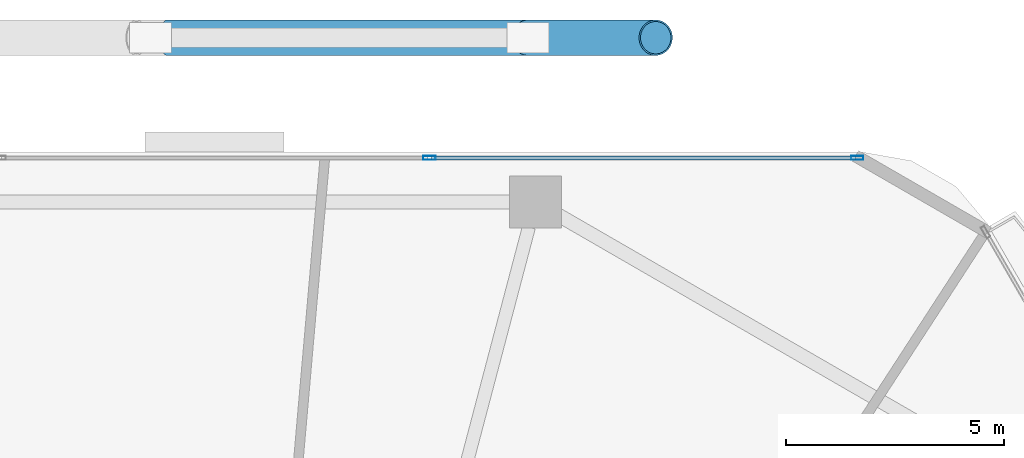
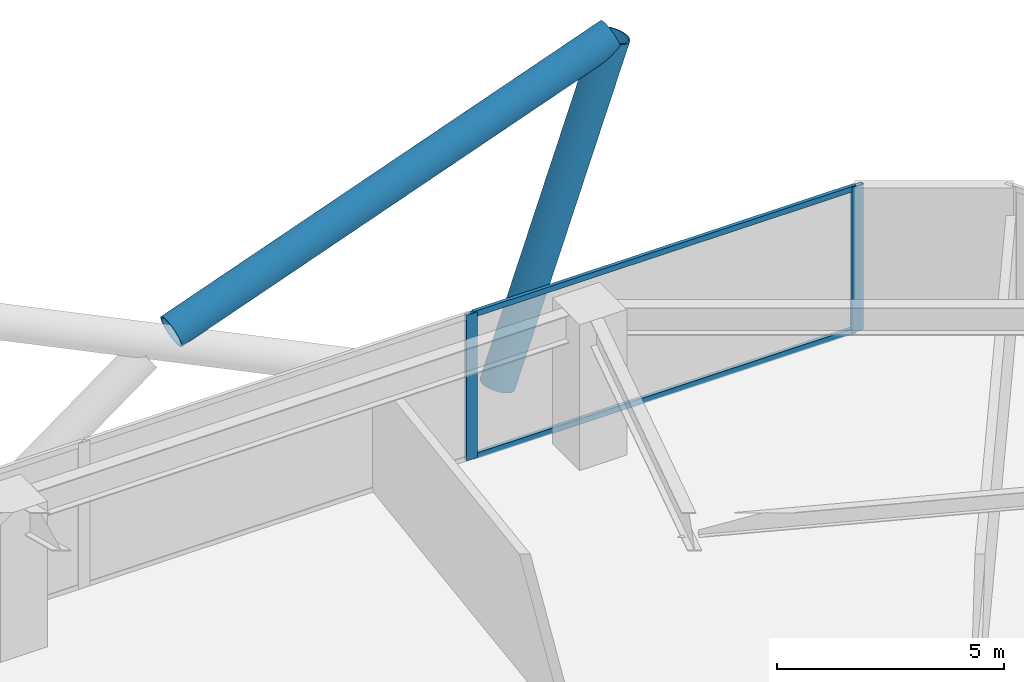
# One storey, part 21 of 30: 6 members, 1 element without a shape of its own.
"""IFC4 building model written with IfcOpenShell, lengths in metres."""

import ifcopenshell
import ifcopenshell.guid

model = None  # the IFC model being written
_history = None  # IfcOwnerHistory: only IFC2X3 demands one
_inside = {}  # id of a spatial element -> (the spatial element, [elements in it])
_under = {}  # id of a project, library or spatial element -> (it, [spatial elements below it])
_declared = {}  # id of a project -> (the project, [libraries it declares])
_typed = {}  # id of a type object -> (the type object, [elements of that type])
_made_of = {}  # id of a material, layer set ... -> (it, [elements and type objects made of it])


def new_model(schema):
    """Start an empty IFC model of exactly this schema.

    Asked for "IFC4X3", IfcOpenShell would pick the latest addendum, in which some entities
    have other attributes; the version numbers below select the first issue.
    IFC2X3 requires an IfcOwnerHistory on every rooted entity: one is made here for all.
    """
    global model, _history
    if schema == "IFC4X3":
        model = ifcopenshell.file(schema_version=(4, 3, 0, 0))
    else:
        model = ifcopenshell.file(schema=schema)
    _inside.clear()
    _under.clear()
    _declared.clear()
    _typed.clear()
    _made_of.clear()
    _history = None
    if model.schema == "IFC2X3":
        org = make("IfcOrganization", Name="unknown")
        user = make(
            "IfcPersonAndOrganization",
            ThePerson=make("IfcPerson", FamilyName="unknown"),
            TheOrganization=org,
        )
        app = make(
            "IfcApplication",
            ApplicationDeveloper=org,
            Version="unknown",
            ApplicationFullName="unknown",
            ApplicationIdentifier="unknown",
        )
        _history = make(
            "IfcOwnerHistory",
            OwningUser=user,
            OwningApplication=app,
            ChangeAction="ADDED",
            CreationDate=0,
        )
    return model


def make(cls, **values):
    """One entity of the class cls with the attributes given. An attribute that is None is left unset."""
    return model.create_entity(
        cls, **{name: value for name, value in values.items() if value is not None}
    )


def rooted(cls, **values):
    """An entity with a GlobalId (a new one), such as an element, a storey or a relation."""
    return make(cls, GlobalId=ifcopenshell.guid.new(), OwnerHistory=_history, **values)


def si_unit(unit_type, name, prefix=None):
    """IfcSIUnit, for example si_unit("LENGTHUNIT", "METRE", prefix="MILLI")."""
    return make("IfcSIUnit", UnitType=unit_type, Prefix=prefix, Name=name)


def assignment(units):
    """IfcUnitAssignment: the units of a project."""
    return None if units is None else make("IfcUnitAssignment", Units=units)


def point(xyz):
    """IfcCartesianPoint."""
    return None if xyz is None else make("IfcCartesianPoint", Coordinates=xyz)


def direction(xyz):
    """IfcDirection."""
    return None if xyz is None else make("IfcDirection", DirectionRatios=xyz)


def frame(location, z_axis=None, x_axis=None):
    """IfcAxis2Placement3D, a coordinate frame: its origin and axes. An axis left out is left unset."""
    return make(
        "IfcAxis2Placement3D",
        Location=point(location),
        Axis=direction(z_axis),
        RefDirection=direction(x_axis),
    )


def frame_2d(location, x_axis=None):
    """IfcAxis2Placement2D, a coordinate frame in the plane: its origin and x axis."""
    return make(
        "IfcAxis2Placement2D", Location=point(location), RefDirection=direction(x_axis)
    )


def origin():
    """The frame at (0, 0, 0) with its axes left unset."""
    return frame((0.0, 0.0, 0.0))


def origin_2d():
    """The frame at (0, 0) in the plane with its x axis left unset."""
    return frame_2d((0.0, 0.0))


def place(relative_to, where):
    """IfcLocalPlacement: puts the frame where relative to a parent placement (None: the world)."""
    return make(
        "IfcLocalPlacement", PlacementRelTo=relative_to, RelativePlacement=where
    )


def context(
    kind, dimensions, precision=None, world=None, true_north=None, identifier=None
):
    """IfcGeometricRepresentationContext, for example the 3D "Model" context."""
    return make(
        "IfcGeometricRepresentationContext",
        ContextIdentifier=identifier,
        ContextType=kind,
        CoordinateSpaceDimension=dimensions,
        Precision=precision,
        WorldCoordinateSystem=world,
        TrueNorth=true_north,
    )


def subcontext(parent, identifier, kind, view, scale=None):
    """IfcGeometricRepresentationSubContext, for example "Body" below "Model"."""
    return make(
        "IfcGeometricRepresentationSubContext",
        ContextIdentifier=identifier,
        ContextType=kind,
        ParentContext=parent,
        TargetScale=scale,
        TargetView=view,
    )


def project(units=None, contexts=None):
    """IfcProject with its units and contexts."""
    return rooted(
        "IfcProject",
        Name="project",
        RepresentationContexts=contexts,
        UnitsInContext=assignment(units),
    )


def spatial(cls, under=None, at=None, **own):
    """A site, building, storey or space (cls), placed at a placement, below another one or the project."""
    s = rooted(cls, ObjectPlacement=at, **own)
    if under is not None:
        _under.setdefault(under.id(), (under, []))[1].append(s)
    return s


def profile(cls, at=None, kind="AREA", **sizes):
    """A parametric profile (cls). Its sizes go by their IFC names, for example OverallWidth=200.0."""
    return make(cls, ProfileType=kind, Position=at, **sizes)


def hollow_rectangle(**sizes):
    """IfcRectangleHollowProfileDef."""
    return profile("IfcRectangleHollowProfileDef", **sizes)


def hollow_circle(**sizes):
    """IfcCircleHollowProfileDef."""
    return profile("IfcCircleHollowProfileDef", **sizes)


def extrude(swept, where, along, depth):
    """IfcExtrudedAreaSolid: the profile swept, set in the frame where, extruded along a direction by depth."""
    return make(
        "IfcExtrudedAreaSolid",
        SweptArea=swept,
        Position=where,
        ExtrudedDirection=direction(along),
        Depth=depth,
    )


def shape(context_of_items, identifier, shape_type, items):
    """IfcShapeRepresentation: the items that make up one representation, for example the "Body"."""
    return make(
        "IfcShapeRepresentation",
        ContextOfItems=context_of_items,
        RepresentationIdentifier=identifier,
        RepresentationType=shape_type,
        Items=items,
    )


def material(Name=None, Category=None):
    """IfcMaterial."""
    return make("IfcMaterial", Name=Name, Category=Category)


def material_profile(
    of_material, cross_section, Name=None, Category=None, Priority=None
):
    """IfcMaterialProfile: a cross section and its material."""
    return make(
        "IfcMaterialProfile",
        Name=Name,
        Material=of_material,
        Profile=cross_section,
        Priority=Priority,
        Category=Category,
    )


def profile_set(profiles, Name=None, composite=None):
    """IfcMaterialProfileSet."""
    return make(
        "IfcMaterialProfileSet",
        Name=Name,
        MaterialProfiles=profiles,
        CompositeProfile=composite,
    )


def made_of(thing, what):
    """Note that an element or type object is made of a material, layer set ...; save() writes the relation."""
    if what is not None:
        _made_of.setdefault(what.id(), (what, []))[1].append(thing)
    return thing


def type_object(cls, material=None, **own):
    """A type object (cls), such as IfcWallType, which elements share."""
    return made_of(rooted(cls, **own), material)


def element(
    cls,
    number,
    at=None,
    inside=None,
    cuts=None,
    type_object=None,
    material=None,
    context=None,
    identifier="Body",
    shape_type=None,
    held_by="IfcProductDefinitionShape",
    body=None,
    shapes=None,
    **own,
):
    """One element of the class cls, such as IfcWall. Its Tag is "e" and its number.

    at: its placement. inside: the storey or other place that contains it. cuts: it is an
    opening in that element (IfcRelVoidsElement). A single representation is given by context,
    identifier, shape_type and body (its items); several are given by shapes. held_by: the class
    of the entity that holds the representations. save() writes the other relations.
    """
    e = rooted(cls, Tag="e%d" % number, ObjectPlacement=at, **own)
    if body is not None:
        shapes = [shape(context, identifier, shape_type, body)]
    if shapes is not None:
        e.Representation = make(held_by, Representations=shapes)
    if inside is not None:
        _inside.setdefault(inside.id(), (inside, []))[1].append(e)
    if cuts is not None:
        rooted(
            "IfcRelVoidsElement", RelatingBuildingElement=cuts, RelatedOpeningElement=e
        )
    if type_object is not None:
        _typed.setdefault(type_object.id(), (type_object, []))[1].append(e)
    return made_of(e, material)


def aggregate(whole, parts):
    """IfcRelAggregates: a whole, such as a stair, and the parts it consists of."""
    return rooted("IfcRelAggregates", RelatingObject=whole, RelatedObjects=parts)


def save(model, path):
    """Write the relations noted so far, then the file.

    IfcRelAggregates (storeys below a building ...), IfcRelContainedInSpatialStructure (elements
    in a storey), IfcRelDefinesByType, IfcRelAssociatesMaterial and IfcRelDeclares: one each for
    every whole, place, type object, material and project.
    """
    for whole, parts in _under.values():
        aggregate(whole, parts)
    for where, things in _inside.values():
        rooted(
            "IfcRelContainedInSpatialStructure",
            RelatedElements=things,
            RelatingStructure=where,
        )
    for kind, things in _typed.values():
        rooted("IfcRelDefinesByType", RelatedObjects=things, RelatingType=kind)
    for what, things in _made_of.values():
        rooted("IfcRelAssociatesMaterial", RelatedObjects=things, RelatingMaterial=what)
    for by, libraries in _declared.values():
        rooted("IfcRelDeclares", RelatingContext=by, RelatedDefinitions=libraries)
    model.write(path)


model = new_model("IFC4")

# Units and contexts
model_context = context("Model", 3, precision=1e-05, world=origin(), true_north=direction((0.0, 1.0)))
body_context = subcontext(model_context, "Body", "Model", "MODEL_VIEW")
ifc_project = project(units=[si_unit("LENGTHUNIT", "METRE"), si_unit("AREAUNIT", "SQUARE_METRE"), si_unit("VOLUMEUNIT", "CUBIC_METRE"), si_unit("PLANEANGLEUNIT", "RADIAN"), si_unit("MASSUNIT", "GRAM", prefix="KILO")], contexts=[model_context])

# Site, building, storey
site_placement = place(None, origin())
site = spatial("IfcSite", under=ifc_project, at=site_placement, CompositionType="ELEMENT")
building_placement = place(site_placement, origin())
building = spatial("IfcBuilding", under=site, at=building_placement, Name="Zuhravey Tower", CompositionType="ELEMENT")
storey_placement = place(building_placement, frame((0.0, 0.0, 16.199951171875)))
storey = spatial("IfcBuildingStorey", under=building, at=storey_placement, Name="L04", CompositionType="ELEMENT", Elevation=16.199951171875)

# Curtain wall, members
ifc_material_1 = material(Name="Thermally broken anodised aluminium", Category="aluminium")
curtain_wall_type = type_object("IfcCurtainWallType", Name="School Low-E Unitised Curtain Wall CW1", PredefinedType="NOTDEFINED", material=ifc_material_1)
curtain_wall_placement = place(storey_placement, origin())
curtain_wall = element("IfcCurtainWall", 1, at=curtain_wall_placement, inside=storey, type_object=curtain_wall_type, Name="L04 CW1 CW-L04-F2-1", PredefinedType="NOTDEFINED")
ifc_material_2 = material(Name="Anodised aluminium", Category="aluminium")
ifc_material_profile_1 = material_profile(ifc_material_2, hollow_rectangle(XDim=0.090087890625, YDim=0.284912109375, WallThickness=0.0048828125, at=origin_2d()), Name="ALU-RHS-90x285x5")
ifc_profile_set_1 = profile_set([ifc_material_profile_1], Name="Anodised aluminium")
member_type_1 = type_object("IfcMemberType", Name="Curtain-Wall Mullion 90x180", PredefinedType="MULLION", material=ifc_profile_set_1)
member_1_placement = place(storey_placement, frame((40.93310546875, 60.95849609375, 0.0), z_axis=(0.0, 0.0, 1.0), x_axis=(0.0, 1.0, 0.0)))
member_1 = element("IfcMember", 2, at=member_1_placement, type_object=member_type_1, Name="CW1 mullion 3", PredefinedType="MULLION", context=body_context, shape_type="SweptSolid", body=[
    extrude(hollow_rectangle(XDim=0.090087890625, YDim=0.284912109375, WallThickness=0.0048828125, at=origin_2d()), origin(), (0.0, 0.0, 1.0), 3.920166015625),
])
member_2_placement = place(storey_placement, frame((50.75439453125, 60.95849609375, 0.0), z_axis=(0.0, 0.0, 1.0), x_axis=(0.0, 1.0, 0.0)))
member_2 = element("IfcMember", 3, at=member_2_placement, type_object=member_type_1, Name="CW1 mullion 4", PredefinedType="MULLION", context=body_context, shape_type="SweptSolid", body=[
    extrude(hollow_rectangle(XDim=0.090087890625, YDim=0.284912109375, WallThickness=0.0048828125, at=origin_2d()), origin(), (0.0, 0.0, 1.0), 3.920166015625),
])
ifc_material_profile_2 = material_profile(ifc_material_2, hollow_rectangle(XDim=0.090087890625, YDim=0.14990234375, WallThickness=0.0048828125, at=origin_2d()), Name="ALU-RHS-90x150x5")
ifc_profile_set_2 = profile_set([ifc_material_profile_2], Name="Anodised aluminium")
member_type_2 = type_object("IfcMemberType", Name="Curtain-Wall Transom 90x150", PredefinedType="USERDEFINED", material=ifc_profile_set_2)
member_3_placement = place(storey_placement, frame((40.978271484375, 60.95849609375, 0.045166015625), z_axis=(1.0, 0.0, 0.0), x_axis=(0.0, 1.0, 0.0)))
member_3 = element("IfcMember", 4, at=member_3_placement, type_object=member_type_2, Name="CW1 transom 3.1", ObjectType="TRANSOM", PredefinedType="USERDEFINED", context=body_context, shape_type="SweptSolid", body=[
    extrude(hollow_rectangle(XDim=0.090087890625, YDim=0.14990234375, WallThickness=0.0048828125, at=origin_2d()), origin(), (0.0, 0.0, 1.0), 9.731201171875),
])
member_4_placement = place(storey_placement, frame((40.978271484375, 60.95849609375, 3.875), z_axis=(1.0, 0.0, 0.0), x_axis=(0.0, 1.0, 0.0)))
member_4 = element("IfcMember", 5, at=member_4_placement, type_object=member_type_2, Name="CW1 transom 3.2", ObjectType="TRANSOM", PredefinedType="USERDEFINED", context=body_context, shape_type="SweptSolid", body=[
    extrude(hollow_rectangle(XDim=0.090087890625, YDim=0.14990234375, WallThickness=0.0048828125, at=origin_2d()), origin(), (0.0, 0.0, 1.0), 9.731201171875),
])
aggregate(curtain_wall, [member_1, member_2, member_3, member_4])

# Members
ifc_material_3 = material(Name="Steel SM460", Category="steel")
ifc_material_profile_3 = material_profile(ifc_material_3, hollow_circle(Radius=0.406494140625, WallThickness=0.035888671875, at=origin_2d()), Name="CHS-812.8x36")
ifc_profile_set_3 = profile_set([ifc_material_profile_3], Name="Steel SM460")
member_type_3 = type_object("IfcMemberType", Name="Exoskeleton Zone 1 Diagrid CHS813x36", PredefinedType="BRACE", material=ifc_profile_set_3)
member_5_placement = place(storey_placement, frame((43.20166015625, 63.718505859375, -0.471923828125), z_axis=(0.330642732694, 0.0, 0.943755997764), x_axis=(0.0, 1.0, 0.0)))
element("IfcMember", 6, at=member_5_placement, inside=storey, type_object=member_type_3, Name="L04 Face 2 Diagrid Brace 1", PredefinedType="BRACE", context=body_context, shape_type="SweptSolid", body=[
    extrude(hollow_circle(Radius=0.406494140625, WallThickness=0.035888671875, at=origin_2d()), origin(), (0.0, 0.0, 1.0), 8.85400390625),
])
member_6_placement = place(storey_placement, frame((34.9013671875, 63.718505859375, 3.841064453125), z_axis=(0.940345778903, 0.0, 0.340220246458), x_axis=(0.0, 1.0, 0.0)))
element("IfcMember", 7, at=member_6_placement, inside=storey, type_object=member_type_3, Name="L04 Face 2 Split Diagrid Brace 3B", PredefinedType="BRACE", context=body_context, shape_type="SweptSolid", body=[
    extrude(hollow_circle(Radius=0.406494140625, WallThickness=0.035888671875, at=origin_2d()), origin(), (0.0, 0.0, 1.0), 11.897705078125),
])

save(model, "model.ifc")
